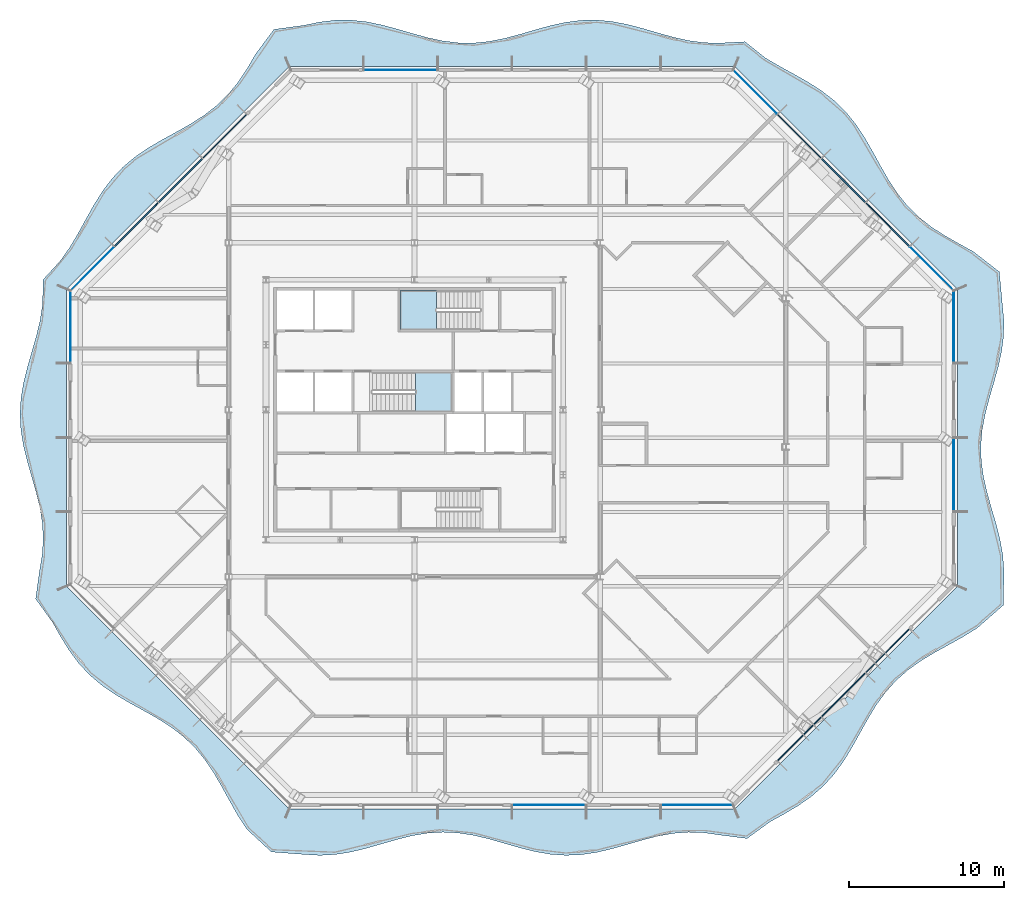
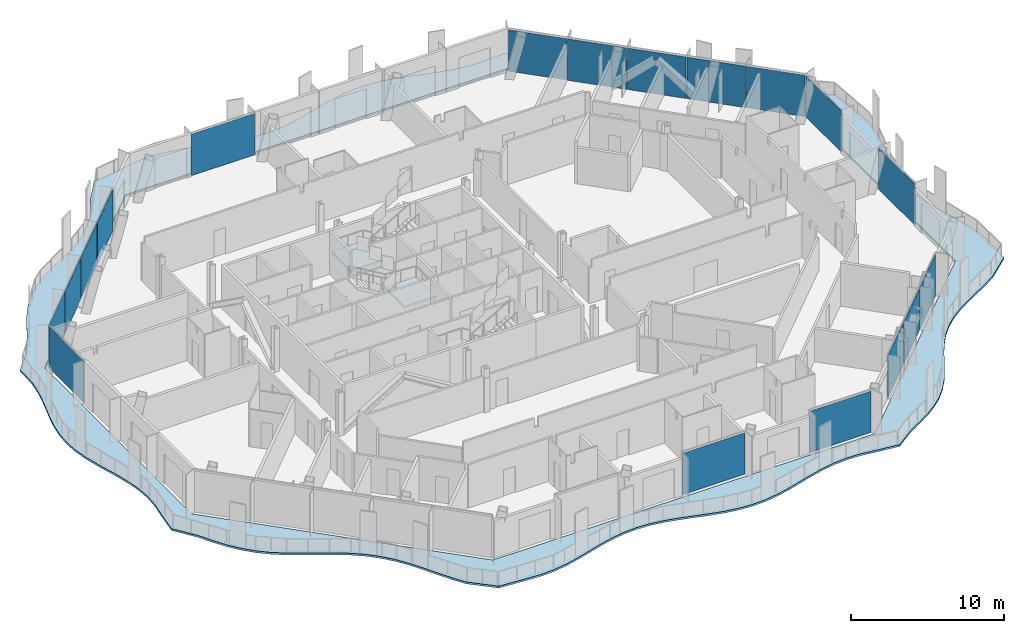
# One storey, part 7 of 19: 18 plates, 3 slabs, 9 elements without a shape of their own.
"""IFC4 building model written with IfcOpenShell, lengths in metres."""

from ifc_helpers import new_model, si_unit, direction, frame, origin, origin_2d, place, context, subcontext, project, spatial, polyline, rectangle, outline, extrude, material, layer, layer_set, type_object, element, aggregate, save


model = new_model("IFC4")

# Units and contexts
model_context = context("Model", 3, precision=1e-05, world=origin(), true_north=direction((0.0, 1.0)))
body_context = subcontext(model_context, "Body", "Model", "MODEL_VIEW")
ifc_project = project(units=[si_unit("LENGTHUNIT", "METRE"), si_unit("AREAUNIT", "SQUARE_METRE"), si_unit("VOLUMEUNIT", "CUBIC_METRE"), si_unit("PLANEANGLEUNIT", "RADIAN"), si_unit("MASSUNIT", "GRAM", prefix="KILO")], contexts=[model_context])

# Site, building, storey
site_placement = place(None, origin())
site = spatial("IfcSite", under=ifc_project, at=site_placement, CompositionType="ELEMENT")
building_placement = place(site_placement, origin())
building = spatial("IfcBuilding", under=site, at=building_placement, Name="Cairn Pilgrim Tower", CompositionType="ELEMENT")
storey_placement = place(building_placement, frame((0.0, 0.0, 193.800048828125)))
storey = spatial("IfcBuildingStorey", under=building, at=storey_placement, Name="L49", CompositionType="ELEMENT", Elevation=193.800048828125)

# Slab
ifc_material_1 = material(Name="Concrete C35/45", Category="concrete")
ifc_layer_1 = layer(ifc_material_1, 0.14990234375)
ifc_layer_set_1 = layer_set([ifc_layer_1], Name="BALCONY SLAB 150 CONCRETE C35/45")
slab_type_1 = type_object("IfcSlabType", Name="BALCONY SLAB 150 CONCRETE C35/45", PredefinedType="FLOOR", material=ifc_layer_set_1)
slab_1_placement = place(storey_placement, frame((0.0, 0.0, -0.150146484375)))
element("IfcSlab", 1, at=slab_1_placement, inside=storey, type_object=slab_type_1, Name="Balcony slab BS-1", PredefinedType="FLOOR", context=body_context, shape_type="SweptSolid", body=[
    extrude(outline(polyline([(-3.64501953125, -24.704833984375), (-2.0517578125, -26.180419921875), (0.093017578125, -26.342041015625), (1.086181640625, -26.39990234375), (2.079345703125, -26.34521484375), (3.072509765625, -26.18603515625), (4.0654296875, -25.9462890625), (5.05859375, -25.662109375), (6.0517578125, -25.376220703125), (7.044921875, -25.13134765625), (8.037841796875, -24.96435546875), (9.031005859375, -24.900390625), (10.024169921875, -24.94873046875), (11.017333984375, -25.102783203125), (12.01025390625, -25.3388671875), (13.00341796875, -25.62158203125), (13.99658203125, -25.90869140625), (14.98974609375, -26.15673828125), (15.982666015625, -26.328857421875), (16.975830078125, -26.399169921875), (17.968994140625, -26.356689453125), (18.962158203125, -26.208251953125), (19.955078125, -25.975830078125), (20.9482421875, -25.694580078125), (21.94140625, -25.40673828125), (22.9345703125, -25.1552734375), (23.927490234375, -24.97802734375), (24.920654296875, -24.90185546875), (25.913818359375, -24.93798828125), (26.906982421875, -25.0810546875), (28.69091796875, -25.3095703125), (30.173095703125, -24.233154296875), (31.10205078125, -23.72216796875), (32.00390625, -23.18408203125), (32.85009765625, -22.59033203125), (33.620849609375, -21.9208984375), (34.307861328125, -21.16796875), (34.91650390625, -20.33642578125), (35.46435546875, -19.4443359375), (35.978515625, -18.5185546875), (36.491455078125, -17.591552734375), (37.035888671875, -16.69580078125), (37.6396484375, -15.859619140625), (38.32080078125, -15.100830078125), (39.08544921875, -14.425537109375), (39.927001953125, -13.826904296875), (40.825927734375, -13.285888671875), (41.75390625, -12.77392578125), (42.67822265625, -12.25830078125), (43.56689453125, -11.70703125), (45.260009765625, -10.22607421875), (45.29833984375, -7.989501953125), (45.22021484375, -6.97900390625), (45.037841796875, -5.968505859375), (44.77978515625, -4.9580078125), (44.486083984375, -3.947265625), (44.2021484375, -2.936767578125), (43.972412109375, -1.92626953125), (43.832275390625, -0.915771484375), (43.803955078125, 0.0947265625), (43.891357421875, 1.105224609375), (44.0810546875, 2.11572265625), (44.34375, 3.126220703125), (44.638671875, 4.136962890625), (44.919677734375, 5.1474609375), (45.14306640625, 6.157958984375), (45.2744140625, 7.16845703125), (45.293212890625, 8.178955078125), (45.196533203125, 9.189453125), (44.999267578125, 11.318115234375), (43.29833984375, 12.63818359375), (42.36767578125, 13.147705078125), (41.450439453125, 13.67041015625), (40.577392578125, 14.2373046875), (39.772705078125, 14.872802734375), (39.0498046875, 15.58984375), (38.4091796875, 16.38916015625), (37.838134765625, 17.25830078125), (37.3134765625, 18.17333984375), (36.803955078125, 19.10400390625), (36.27685546875, 20.016845703125), (35.701416015625, 20.88134765625), (35.054931640625, 21.6748046875), (34.32568359375, 22.3857421875), (33.515380859375, 23.015380859375), (32.637939453125, 23.577880859375), (31.718505859375, 24.0986328125), (30.78857421875, 24.6083984375), (29.880859375, 25.140869140625), (28.55908203125, 26.19140625), (26.906982421875, 26.1044921875), (25.913818359375, 26.12939453125), (24.920654296875, 26.2626953125), (23.927490234375, 26.48388671875), (22.9345703125, 26.76025390625), (21.94140625, 27.050048828125), (20.9482421875, 27.309814453125), (19.955078125, 27.500732421875), (18.962158203125, 27.593505859375), (17.968994140625, 27.574951171875), (16.975830078125, 27.447265625), (15.982666015625, 27.230224609375), (14.98974609375, 26.955810546875), (13.99658203125, 26.66552734375), (13.00341796875, 26.403076171875), (12.01025390625, 26.20751953125), (11.017333984375, 26.108642578125), (10.024169921875, 26.12109375), (9.031005859375, 26.242919921875), (8.037841796875, 26.4560546875), (7.044921875, 26.728271484375), (6.0517578125, 27.0185546875), (5.05859375, 27.283935546875), (4.0654296875, 27.48388671875), (3.072509765625, 27.588623046875), (2.079345703125, 27.58251953125), (1.086181640625, 27.466552734375), (0.093017578125, 27.2578125), (-1.88916015625, 26.98779296875), (-3.097900390625, 25.35791015625), (-3.625, 24.445068359375), (-4.200439453125, 23.58056640625), (-4.84716796875, 22.787109375), (-5.576416015625, 22.076416015625), (-6.38671875, 21.44677734375), (-7.26416015625, 20.884033203125), (-8.18359375, 20.363525390625), (-9.113525390625, 19.853515625), (-10.021240234375, 19.3212890625), (-10.876708984375, 18.73681640625), (-11.65869140625, 18.07861328125), (-12.357421875, 17.33740234375), (-12.976318359375, 16.516357421875), (-13.53125, 15.631103515625), (-14.04833984375, 14.708251953125), (-14.559326171875, 13.779296875), (-15.09765625, 12.87744140625), (-15.69140625, 12.031494140625), (-16.800537109375, 10.821533203125), (-16.846923828125, 9.189453125), (-17.002197265625, 8.178955078125), (-17.242919921875, 7.16845703125), (-17.53125, 6.157958984375), (-17.822509765625, 5.1474609375), (-18.0712890625, 4.136962890625), (-18.2392578125, 3.126220703125), (-18.300048828125, 2.11572265625), (-18.244140625, 1.105224609375), (-18.08056640625, 0.0947265625), (-17.834228515625, -0.915771484375), (-17.5439453125, -1.92626953125), (-17.254638671875, -2.936767578125), (-17.01123046875, -3.947265625), (-16.851318359375, -4.9580078125), (-16.80029296875, -5.968505859375), (-16.865478515625, -6.97900390625), (-17.037353515625, -7.989501953125), (-17.288818359375, -9.82373046875), (-16.1943359375, -11.33447265625), (-15.6787109375, -12.2587890625), (-15.127197265625, -13.147216796875), (-14.51318359375, -13.97314453125), (-13.81982421875, -14.719970703125), (-13.043212890625, -15.38330078125), (-12.19189453125, -15.971923828125), (-11.286865234375, -16.5068359375), (-10.357421875, -17.017333984375), (-9.436279296875, -17.5361328125), (-8.55517578125, -18.09521484375), (-7.73974609375, -18.719970703125), (-7.005126953125, -19.425048828125), (-6.353271484375, -20.21337890625), (-5.77392578125, -21.07373046875), (-5.244384765625, -21.984375), (-4.73486328125, -22.914794921875), (-4.2119140625, -23.83203125), (-3.64501953125, -24.704833984375)]), holes=[polyline([(27.89990234375, -23.39990234375), (-0.89990234375, -23.39990234375), (-15.300048828125, -9.0), (-15.300048828125, 10.199951171875), (-0.89990234375, 24.60009765625), (27.89990234375, 24.60009765625), (42.300048828125, 10.199951171875), (42.300048828125, -9.0), (27.89990234375, -23.39990234375)])]), origin(), (0.0, 0.0, 1.0), 0.150146484375),
])

# Curtain wall, plates
ifc_material_2 = material(Name="Aluminium alloy 6063-T6 bronze anodised with Bronze tinted laminated low-E glass 8+16+8.8", Category="aluminium")
curtain_wall_type_1 = type_object("IfcCurtainWallType", Name="CHAMFER CORNER CURTAIN WALL", PredefinedType="NOTDEFINED", material=ifc_material_2)
curtain_wall_1_placement = place(storey_placement, origin())
curtain_wall_1 = element("IfcCurtainWall", 2, at=curtain_wall_1_placement, inside=storey, type_object=curtain_wall_type_1, Name="Chamfer Corner Curtain Wall SE", PredefinedType="NOTDEFINED")
ifc_material_3 = material(Name="Bronze anodised aluminium spandrel panel with mineral wool insulation", Category="aluminium")
ifc_layer_2 = layer(ifc_material_3, 0.06005859375)
ifc_layer_set_2 = layer_set([ifc_layer_2], Name="SPANDREL PANEL 3972x3300")
plate_type_1 = type_object("IfcPlateType", Name="SPANDREL PANEL 3972x3300", PredefinedType="CURTAIN_PANEL", material=ifc_layer_set_2)
plate_1_placement = place(storey_placement, frame((32.072509765625, -18.8740234375, 0.0), z_axis=(0.0, 0.0, 1.0), x_axis=(0.707106781187, 0.707106781187, 0.0)))
plate_1 = element("IfcPlate", 3, at=plate_1_placement, type_object=plate_type_1, Name="Spandrel Panel SE2-1", PredefinedType="CURTAIN_PANEL", context=body_context, shape_type="SweptSolid", body=[
    extrude(rectangle(XDim=3.971435546875, YDim=0.06005859375, at=origin_2d()), origin(), (0.0, 0.0, 1.0), 3.300048828125),
])
plate_2_placement = place(storey_placement, frame((34.92333984375, -16.023193359375, 0.0), z_axis=(0.0, 0.0, 1.0), x_axis=(0.707106781187, 0.707106781187, 0.0)))
plate_2 = element("IfcPlate", 4, at=plate_2_placement, type_object=plate_type_1, Name="Spandrel Panel SE3-1", PredefinedType="CURTAIN_PANEL", context=body_context, shape_type="SweptSolid", body=[
    extrude(rectangle(XDim=3.971435546875, YDim=0.06005859375, at=origin_2d()), origin(), (0.0, 0.0, 1.0), 3.300048828125),
])
plate_3_placement = place(storey_placement, frame((37.77392578125, -13.172607421875, 0.0), z_axis=(0.0, 0.0, 1.0), x_axis=(0.707106781187, 0.707106781187, 0.0)))
plate_3 = element("IfcPlate", 5, at=plate_3_placement, type_object=plate_type_1, Name="Spandrel Panel SE4-1", PredefinedType="CURTAIN_PANEL", context=body_context, shape_type="SweptSolid", body=[
    extrude(rectangle(XDim=3.971435546875, YDim=0.06005859375, at=origin_2d()), origin(), (0.0, 0.0, 1.0), 3.300048828125),
])
aggregate(curtain_wall_1, [plate_1, plate_2, plate_3])

curtain_wall_2_placement = place(storey_placement, origin())
curtain_wall_2 = element("IfcCurtainWall", 6, at=curtain_wall_2_placement, inside=storey, type_object=curtain_wall_type_1, Name="Chamfer Corner Curtain Wall NE", PredefinedType="NOTDEFINED")
plate_4_placement = place(storey_placement, frame((37.77392578125, 14.37255859375, 0.0), z_axis=(0.0, 0.0, 1.0), x_axis=(-0.707106781187, 0.707106781187, 0.0)))
plate_4 = element("IfcPlate", 7, at=plate_4_placement, type_object=plate_type_1, Name="Spandrel Panel NE2-1", PredefinedType="CURTAIN_PANEL", context=body_context, shape_type="SweptSolid", body=[
    extrude(rectangle(XDim=3.971435546875, YDim=0.06005859375, at=origin_2d()), origin(), (0.0, 0.0, 1.0), 3.300048828125),
])
plate_5_placement = place(storey_placement, frame((34.92333984375, 17.22314453125, 0.0), z_axis=(0.0, 0.0, 1.0), x_axis=(-0.707106781187, 0.707106781187, 0.0)))
plate_5 = element("IfcPlate", 8, at=plate_5_placement, type_object=plate_type_1, Name="Spandrel Panel NE3-1", PredefinedType="CURTAIN_PANEL", context=body_context, shape_type="SweptSolid", body=[
    extrude(rectangle(XDim=3.971435546875, YDim=0.06005859375, at=origin_2d()), origin(), (0.0, 0.0, 1.0), 3.300048828125),
])
plate_6_placement = place(storey_placement, frame((32.072509765625, 20.073974609375, 0.0), z_axis=(0.0, 0.0, 1.0), x_axis=(-0.707106781187, 0.707106781187, 0.0)))
plate_6 = element("IfcPlate", 9, at=plate_6_placement, type_object=plate_type_1, Name="Spandrel Panel NE4-1", PredefinedType="CURTAIN_PANEL", context=body_context, shape_type="SweptSolid", body=[
    extrude(rectangle(XDim=3.971435546875, YDim=0.06005859375, at=origin_2d()), origin(), (0.0, 0.0, 1.0), 3.300048828125),
])

curtain_wall_3_placement = place(storey_placement, origin())
curtain_wall_3 = element("IfcCurtainWall", 10, at=curtain_wall_3_placement, inside=storey, type_object=curtain_wall_type_1, Name="Chamfer Corner Curtain Wall NW", PredefinedType="NOTDEFINED")
plate_7_placement = place(storey_placement, frame((-5.072509765625, 20.073974609375, 0.0), z_axis=(0.0, 0.0, 1.0), x_axis=(-0.707106781187, -0.707106781187, 0.0)))
plate_7 = element("IfcPlate", 11, at=plate_7_placement, type_object=plate_type_1, Name="Spandrel Panel NW2-1", PredefinedType="CURTAIN_PANEL", context=body_context, shape_type="SweptSolid", body=[
    extrude(rectangle(XDim=3.971435546875, YDim=0.06005859375, at=origin_2d()), origin(), (0.0, 0.0, 1.0), 3.300048828125),
])
plate_8_placement = place(storey_placement, frame((-7.92333984375, 17.22314453125, 0.0), z_axis=(0.0, 0.0, 1.0), x_axis=(-0.707106781187, -0.707106781187, 0.0)))
plate_8 = element("IfcPlate", 12, at=plate_8_placement, type_object=plate_type_1, Name="Spandrel Panel NW3-1", PredefinedType="CURTAIN_PANEL", context=body_context, shape_type="SweptSolid", body=[
    extrude(rectangle(XDim=3.971435546875, YDim=0.06005859375, at=origin_2d()), origin(), (0.0, 0.0, 1.0), 3.300048828125),
])
plate_9_placement = place(storey_placement, frame((-10.77392578125, 14.37255859375, 0.0), z_axis=(0.0, 0.0, 1.0), x_axis=(-0.707106781187, -0.707106781187, 0.0)))
plate_9 = element("IfcPlate", 13, at=plate_9_placement, type_object=plate_type_1, Name="Spandrel Panel NW4-1", PredefinedType="CURTAIN_PANEL", context=body_context, shape_type="SweptSolid", body=[
    extrude(rectangle(XDim=3.971435546875, YDim=0.06005859375, at=origin_2d()), origin(), (0.0, 0.0, 1.0), 3.300048828125),
])

# Stair, slab
ifc_material_4 = material(Name="Concrete C32/40", Category="concrete")
stair_type = type_object("IfcStairType", Name="EXIT STAIR 1200", PredefinedType="HALF_TURN_STAIR", material=ifc_material_4)
stair_1_placement = place(storey_placement, origin())
stair_1 = element("IfcStair", 14, at=stair_1_placement, inside=storey, type_object=stair_type, Name="L49 Exit Stair B", PredefinedType="HALF_TURN_STAIR")
ifc_layer_3 = layer(ifc_material_4, 0.199951171875)
ifc_layer_set_3 = layer_set([ifc_layer_3], Name="STAIR LANDING 200")
slab_type_2 = type_object("IfcSlabType", Name="STAIR LANDING 200", PredefinedType="LANDING", material=ifc_layer_set_3)
slab_2_placement = place(storey_placement, frame((0.0, 0.0, 1.599853515625)))
slab_2 = element("IfcSlab", 15, at=slab_2_placement, type_object=slab_type_2, Name="ST-B landing 1", PredefinedType="LANDING", context=body_context, shape_type="SweptSolid", body=[
    extrude(outline(polyline([(7.27490234375, 2.27490234375), (9.625, 2.27490234375), (9.625, 4.824951171875), (7.27490234375, 4.824951171875), (7.27490234375, 2.27490234375)])), origin(), (0.0, 0.0, 1.0), 0.2001953125),
])
aggregate(stair_1, [slab_2])

stair_2_placement = place(storey_placement, origin())
stair_2 = element("IfcStair", 16, at=stair_2_placement, inside=storey, type_object=stair_type, Name="L49 Exit Stair C", PredefinedType="HALF_TURN_STAIR")
slab_3_placement = place(storey_placement, frame((0.0, 0.0, 1.599853515625)))
slab_3 = element("IfcSlab", 17, at=slab_3_placement, type_object=slab_type_2, Name="ST-C landing 1", PredefinedType="LANDING", context=body_context, shape_type="SweptSolid", body=[
    extrude(outline(polyline([(8.625, 10.10009765625), (6.27490234375, 10.10009765625), (6.27490234375, 7.574951171875), (8.625, 7.574951171875), (8.625, 10.10009765625)])), origin(), (0.0, 0.0, 1.0), 0.2001953125),
])
aggregate(stair_2, [slab_3])

# Plate
ifc_material_5 = material(Name="Bronze tinted laminated low-E glass 8+16+8.8", Category="glass")
ifc_layer_4 = layer(ifc_material_5, 0.033935546875)
ifc_layer_set_4 = layer_set([ifc_layer_4], Name="VISION GLAZING 3962x3300")
plate_type_2 = type_object("IfcPlateType", Name="VISION GLAZING 3962x3300", PredefinedType="CURTAIN_PANEL", material=ifc_layer_set_4)
plate_10_placement = place(storey_placement, frame((40.62109375, 11.525390625, 0.0), z_axis=(0.0, 0.0, 1.0), x_axis=(-0.707106781187, 0.707106781187, 0.0)))
plate_10 = element("IfcPlate", 18, at=plate_10_placement, type_object=plate_type_2, Name="Vision Glazing NE1-1", PredefinedType="CURTAIN_PANEL", context=body_context, shape_type="SweptSolid", body=[
    extrude(rectangle(XDim=3.96142578125, YDim=0.033935546875, at=origin_2d()), origin(), (0.0, 0.0, 1.0), 3.300048828125),
])

plate_11_placement = place(storey_placement, frame((29.225341796875, 22.921142578125, 0.0), z_axis=(0.0, 0.0, 1.0), x_axis=(-0.707106781187, 0.707106781187, 0.0)))
plate_11 = element("IfcPlate", 19, at=plate_11_placement, type_object=plate_type_2, Name="Vision Glazing NE5-1", PredefinedType="CURTAIN_PANEL", context=body_context, shape_type="SweptSolid", body=[
    extrude(rectangle(XDim=3.96142578125, YDim=0.033935546875, at=origin_2d()), origin(), (0.0, 0.0, 1.0), 3.300048828125),
])

aggregate(curtain_wall_2, [plate_10, plate_4, plate_5, plate_6, plate_11])

plate_12_placement = place(storey_placement, frame((-13.62109375, 11.525390625, 0.0), z_axis=(0.0, 0.0, 1.0), x_axis=(-0.707106781187, -0.707106781187, 0.0)))
plate_12 = element("IfcPlate", 20, at=plate_12_placement, type_object=plate_type_2, Name="Vision Glazing NW5-1", PredefinedType="CURTAIN_PANEL", context=body_context, shape_type="SweptSolid", body=[
    extrude(rectangle(XDim=3.96142578125, YDim=0.033935546875, at=origin_2d()), origin(), (0.0, 0.0, 1.0), 3.300048828125),
])

aggregate(curtain_wall_3, [plate_7, plate_8, plate_9, plate_12])

# Curtain wall, plate
curtain_wall_type_2 = type_object("IfcCurtainWallType", Name="TOWER STICK CURTAIN WALL NS", PredefinedType="NOTDEFINED", material=ifc_material_2)
curtain_wall_4_placement = place(storey_placement, origin())
curtain_wall_4 = element("IfcCurtainWall", 21, at=curtain_wall_4_placement, inside=storey, type_object=curtain_wall_type_2, Name="Tower Stick Curtain Wall Ns S", PredefinedType="NOTDEFINED")
ifc_layer_5 = layer(ifc_material_5, 0.033935546875)
ifc_layer_set_5 = layer_set([ifc_layer_5], Name="VISION GLAZING 4626x3300")
plate_type_3 = type_object("IfcPlateType", Name="VISION GLAZING 4626x3300", PredefinedType="CURTAIN_PANEL", material=ifc_layer_set_5)
plate_13_placement = place(storey_placement, frame((25.443115234375, -23.14990234375, 0.0), z_axis=(0.0, 0.0, 1.0), x_axis=(1.0, 0.0, 0.0)))
plate_13 = element("IfcPlate", 22, at=plate_13_placement, type_object=plate_type_3, Name="Vision Glazing S6-1", PredefinedType="CURTAIN_PANEL", context=body_context, shape_type="SweptSolid", body=[
    extrude(rectangle(XDim=4.62646484375, YDim=0.033935546875, at=origin_2d()), origin(), (0.0, 0.0, 1.0), 3.300048828125),
])

curtain_wall_type_3 = type_object("IfcCurtainWallType", Name="TOWER STICK CURTAIN WALL EW", PredefinedType="NOTDEFINED", material=ifc_material_2)
curtain_wall_5_placement = place(storey_placement, origin())
curtain_wall_5 = element("IfcCurtainWall", 23, at=curtain_wall_5_placement, inside=storey, type_object=curtain_wall_type_3, Name="Tower Stick Curtain Wall Ew E", PredefinedType="NOTDEFINED")
plate_14_placement = place(storey_placement, frame((42.050048828125, 7.7431640625, 0.0), z_axis=(0.0, 0.0, 1.0), x_axis=(0.0, 1.0, 0.0)))
plate_14 = element("IfcPlate", 24, at=plate_14_placement, type_object=plate_type_3, Name="Vision Glazing E4-1", PredefinedType="CURTAIN_PANEL", context=body_context, shape_type="SweptSolid", body=[
    extrude(rectangle(XDim=4.62646484375, YDim=0.033935546875, at=origin_2d()), origin(), (0.0, 0.0, 1.0), 3.300048828125),
])

curtain_wall_6_placement = place(storey_placement, origin())
curtain_wall_6 = element("IfcCurtainWall", 25, at=curtain_wall_6_placement, inside=storey, type_object=curtain_wall_type_3, Name="Tower Stick Curtain Wall Ew W", PredefinedType="NOTDEFINED")
plate_15_placement = place(storey_placement, frame((-15.050048828125, 7.7431640625, 0.0), z_axis=(0.0, 0.0, 1.0), x_axis=(0.0, -1.0, 0.0)))
plate_15 = element("IfcPlate", 26, at=plate_15_placement, type_object=plate_type_3, Name="Vision Glazing W1-1", PredefinedType="CURTAIN_PANEL", context=body_context, shape_type="SweptSolid", body=[
    extrude(rectangle(XDim=4.62646484375, YDim=0.033935546875, at=origin_2d()), origin(), (0.0, 0.0, 1.0), 3.300048828125),
])
aggregate(curtain_wall_6, [plate_15])

# Plate
ifc_layer_6 = layer(ifc_material_5, 0.033935546875)
ifc_layer_set_6 = layer_set([ifc_layer_6], Name="VISION GLAZING 4740x3300")
plate_type_4 = type_object("IfcPlateType", Name="VISION GLAZING 4740x3300", PredefinedType="CURTAIN_PANEL", material=ifc_layer_set_6)
plate_16_placement = place(storey_placement, frame((15.89990234375, -23.14990234375, 0.0), z_axis=(0.0, 0.0, 1.0), x_axis=(1.0, 0.0, 0.0)))
plate_16 = element("IfcPlate", 27, at=plate_16_placement, type_object=plate_type_4, Name="Vision Glazing S4-1", PredefinedType="CURTAIN_PANEL", context=body_context, shape_type="SweptSolid", body=[
    extrude(rectangle(XDim=4.739990234375, YDim=0.033935546875, at=origin_2d()), origin(), (0.0, 0.0, 1.0), 3.300048828125),
])

aggregate(curtain_wall_4, [plate_16, plate_13])

plate_17_placement = place(storey_placement, frame((42.050048828125, -1.800048828125, 0.0), z_axis=(0.0, 0.0, 1.0), x_axis=(0.0, 1.0, 0.0)))
plate_17 = element("IfcPlate", 28, at=plate_17_placement, type_object=plate_type_4, Name="Vision Glazing E2-1", PredefinedType="CURTAIN_PANEL", context=body_context, shape_type="SweptSolid", body=[
    extrude(rectangle(XDim=4.739990234375, YDim=0.033935546875, at=origin_2d()), origin(), (0.0, 0.0, 1.0), 3.300048828125),
])

aggregate(curtain_wall_5, [plate_17, plate_14])

# Curtain wall, plate
curtain_wall_7_placement = place(storey_placement, origin())
curtain_wall_7 = element("IfcCurtainWall", 29, at=curtain_wall_7_placement, inside=storey, type_object=curtain_wall_type_2, Name="Tower Stick Curtain Wall Ns N", PredefinedType="NOTDEFINED")
plate_18_placement = place(storey_placement, frame((6.300048828125, 24.35009765625, 0.0), z_axis=(0.0, 0.0, 1.0), x_axis=(-1.0, 0.0, 0.0)))
plate_18 = element("IfcPlate", 30, at=plate_18_placement, type_object=plate_type_4, Name="Vision Glazing N5-1", PredefinedType="CURTAIN_PANEL", context=body_context, shape_type="SweptSolid", body=[
    extrude(rectangle(XDim=4.739990234375, YDim=0.033935546875, at=origin_2d()), origin(), (0.0, 0.0, 1.0), 3.300048828125),
])
aggregate(curtain_wall_7, [plate_18])

save(model, "model.ifc")
